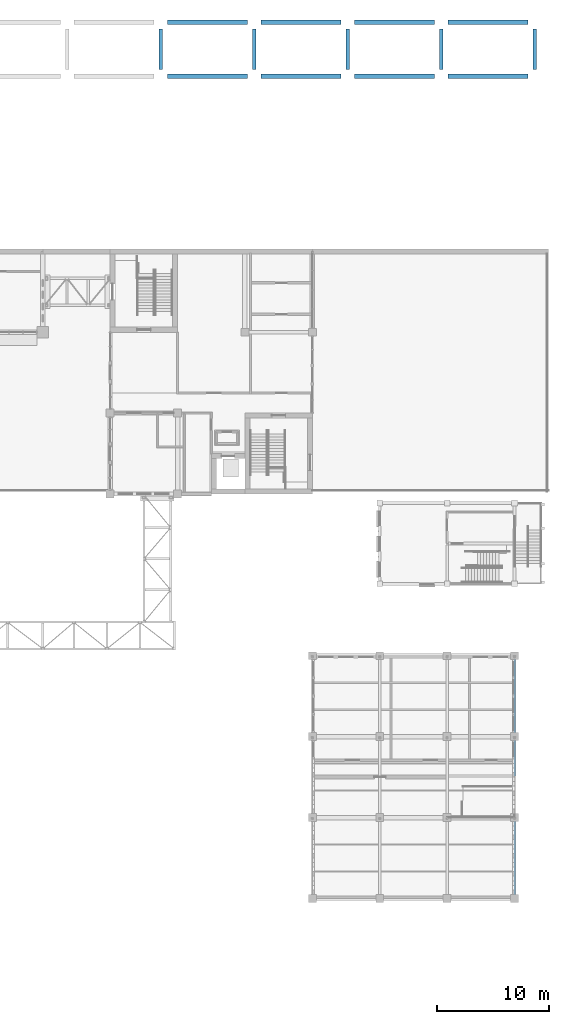
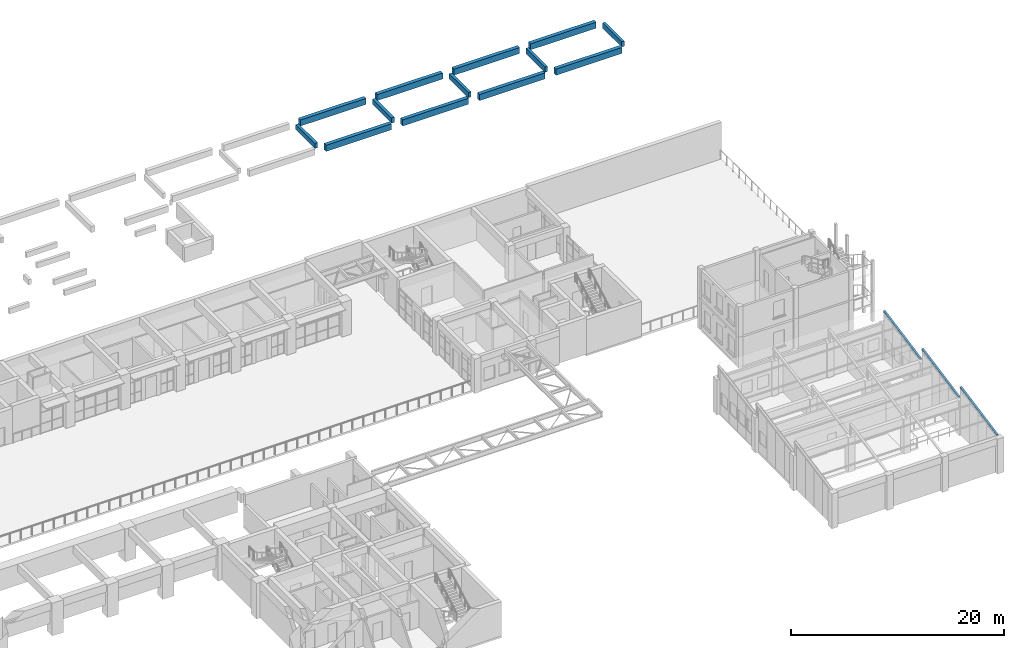
# One storey, part 40 of 103: 13 beams, 3 members.
"""IFC4 building model written with IfcOpenShell, lengths in metres."""

from ifc_helpers import new_model, si_unit, direction, frame, origin, origin_2d, place, context, subcontext, project, spatial, rectangle, hollow_rectangle, extrude, material, material_profile, profile_set, type_object, element, save


model = new_model("IFC4")

# Units and contexts
model_context = context("Model", 3, precision=1e-05, world=origin(), true_north=direction((0.0, 1.0)))
body_context = subcontext(model_context, "Body", "Model", "MODEL_VIEW")
ifc_project = project(units=[si_unit("LENGTHUNIT", "METRE"), si_unit("AREAUNIT", "SQUARE_METRE"), si_unit("VOLUMEUNIT", "CUBIC_METRE"), si_unit("PLANEANGLEUNIT", "RADIAN"), si_unit("MASSUNIT", "GRAM", prefix="KILO")], contexts=[model_context])

# Site, building, storey
site_placement = place(None, origin())
site = spatial("IfcSite", under=ifc_project, at=site_placement, CompositionType="ELEMENT")
building_placement = place(site_placement, origin())
building = spatial("IfcBuilding", under=site, at=building_placement, Name="Laocheng Heights Fire and Rescue Headquarters", CompositionType="ELEMENT")
storey_placement = place(building_placement, frame((0.0, 0.0, 4.199951171875)))
storey = spatial("IfcBuildingStorey", under=building, at=storey_placement, Name="L01", CompositionType="ELEMENT", Elevation=4.199951171875)

# Beams
ifc_material_1 = material(Name="Concrete C40", Category="concrete")
ifc_material_profile_1 = material_profile(ifc_material_1, rectangle(XDim=0.300048828125, YDim=0.60009765625, at=origin_2d()), Name="RC GROUND BEAM 300x600")
ifc_profile_set_1 = profile_set([ifc_material_profile_1], Name="Concrete C40")
beam_type_1 = type_object("IfcBeamType", Name="RC GROUND BEAM 300x600", PredefinedType="BEAM", material=ifc_profile_set_1)
for number, where, z_axis, x_axis, name in (
    (1, (94.490966796875, 73.800048828125, 3.650146484375), (0.0, 1.0, 0.0), (-1.0, 0.0, 0.0), "Ground beam GB196"),
    (2, (102.818115234375, 73.800048828125, 3.650146484375), (0.0, 1.0, 0.0), (-1.0, 0.0, 0.0), "Ground beam GB197"),
    (3, (111.1455078125, 73.800048828125, 3.650146484375), (0.0, 1.0, 0.0), (-1.0, 0.0, 0.0), "Ground beam GB198"),
    (4, (119.47265625, 73.800048828125, 3.650146484375), (0.0, 1.0, 0.0), (-1.0, 0.0, 0.0), "Ground beam GB199"),
    (5, (127.800048828125, 73.800048828125, 3.650146484375), (0.0, 1.0, 0.0), (-1.0, 0.0, 0.0), "Ground beam GB200"),
):
    element("IfcBeam", number, at=place(storey_placement, frame(where, z_axis=z_axis, x_axis=x_axis)), inside=storey, type_object=beam_type_1, Name=name, PredefinedType="BEAM", context=body_context, shape_type="SweptSolid", body=[
        extrude(rectangle(XDim=0.300048828125, YDim=0.60009765625, at=origin_2d()), origin(), (0.0, 0.0, 1.0), 3.599853515625),
    ])
ifc_material_2 = material(Name="Concrete C40", Category="concrete")
ifc_material_profile_2 = material_profile(ifc_material_2, rectangle(XDim=0.39990234375, YDim=0.699951171875, at=origin_2d()), Name="RC GROUND BEAM 400x700")
ifc_profile_set_2 = profile_set([ifc_material_profile_2], Name="Concrete C40")
beam_type_2 = type_object("IfcBeamType", Name="RC GROUND BEAM 400x700", PredefinedType="BEAM", material=ifc_profile_set_2)
beam_1_placement = place(storey_placement, frame((95.0908203125, 73.199951171875, 3.60009765625), z_axis=(1.0, 0.0, 0.0), x_axis=(0.0, 1.0, 0.0)))
element("IfcBeam", 6, at=beam_1_placement, inside=storey, type_object=beam_type_2, Name="Ground beam GB189", PredefinedType="BEAM", context=body_context, shape_type="SweptSolid", body=[
    extrude(rectangle(XDim=0.39990234375, YDim=0.699951171875, at=origin_2d()), origin(), (0.0, 0.0, 1.0), 7.12744140625),
])
for number, where, z_axis, x_axis, name in (
    (7, (103.418212890625, 73.199951171875, 3.60009765625), (1.0, 0.0, 0.0), (0.0, 1.0, 0.0), "Ground beam GB190"),
    (8, (111.74560546875, 73.199951171875, 3.60009765625), (1.0, 0.0, 0.0), (0.0, 1.0, 0.0), "Ground beam GB191"),
    (9, (120.07275390625, 73.199951171875, 3.60009765625), (1.0, 0.0, 0.0), (0.0, 1.0, 0.0), "Ground beam GB192"),
):
    element("IfcBeam", number, at=place(storey_placement, frame(where, z_axis=z_axis, x_axis=x_axis)), inside=storey, type_object=beam_type_2, Name=name, PredefinedType="BEAM", context=body_context, shape_type="SweptSolid", body=[
        extrude(rectangle(XDim=0.39990234375, YDim=0.699951171875, at=origin_2d()), origin(), (0.0, 0.0, 1.0), 7.127197265625),
    ])
beam_2_placement = place(storey_placement, frame((95.0908203125, 78.0, 3.60009765625), z_axis=(1.0, 0.0, 0.0), x_axis=(0.0, 1.0, 0.0)))
element("IfcBeam", 10, at=beam_2_placement, inside=storey, type_object=beam_type_2, Name="Ground beam GB217", PredefinedType="BEAM", context=body_context, shape_type="SweptSolid", body=[
    extrude(rectangle(XDim=0.39990234375, YDim=0.699951171875, at=origin_2d()), origin(), (0.0, 0.0, 1.0), 7.12744140625),
])
for number, where, z_axis, x_axis, name in (
    (11, (103.418212890625, 78.0, 3.60009765625), (1.0, 0.0, 0.0), (0.0, 1.0, 0.0), "Ground beam GB218"),
    (12, (111.74560546875, 78.0, 3.60009765625), (1.0, 0.0, 0.0), (0.0, 1.0, 0.0), "Ground beam GB219"),
    (13, (120.07275390625, 78.0, 3.60009765625), (1.0, 0.0, 0.0), (0.0, 1.0, 0.0), "Ground beam GB220"),
):
    element("IfcBeam", number, at=place(storey_placement, frame(where, z_axis=z_axis, x_axis=x_axis)), inside=storey, type_object=beam_type_2, Name=name, PredefinedType="BEAM", context=body_context, shape_type="SweptSolid", body=[
        extrude(rectangle(XDim=0.39990234375, YDim=0.699951171875, at=origin_2d()), origin(), (0.0, 0.0, 1.0), 7.127197265625),
    ])

# Members
ifc_material_3 = material(Name="Steel Q355B", Category="steel")
ifc_material_profile_3 = material_profile(ifc_material_3, hollow_rectangle(XDim=0.199951171875, YDim=0.199951171875, WallThickness=0.008056640625, at=origin_2d()), Name="SHS 200x200x8")
ifc_profile_set_3 = profile_set([ifc_material_profile_3], Name="Steel Q355B")
member_type = type_object("IfcMemberType", Name="STEEL RAFTER SHS 200x200x8 SAWTOOTH", PredefinedType="RAFTER", material=ifc_profile_set_3)
member_placement = place(storey_placement, frame((126.0, 0.25732421875, 3.9443359375), z_axis=(0.0, 0.981611412643, 0.190890111241), x_axis=(-1.0, 0.0, 0.0)))
element("IfcMember", 14, at=member_placement, inside=storey, type_object=member_type, Name="Sawtooth rafter", PredefinedType="RAFTER", context=body_context, shape_type="SweptSolid", body=[
    extrude(hollow_rectangle(XDim=0.199951171875, YDim=0.199951171875, WallThickness=0.008056640625, at=origin_2d()), origin(), (0.0, 0.0, 1.0), 7.029052734375),
])
for number, where, z_axis, x_axis, name in (
    (15, (126.0, 7.457275390625, 3.9443359375), (0.0, 0.981612678199, 0.190883603276), (-1.0, 0.0, 0.0), "Sawtooth rafter"),
    (16, (126.0, 14.6572265625, 3.9443359375), (0.0, 0.981612678199, 0.190883603276), (-1.0, 0.0, 0.0), "Sawtooth rafter"),
):
    element("IfcMember", number, at=place(storey_placement, frame(where, z_axis=z_axis, x_axis=x_axis)), inside=storey, type_object=member_type, Name=name, PredefinedType="RAFTER", context=body_context, shape_type="SweptSolid", body=[
        extrude(hollow_rectangle(XDim=0.199951171875, YDim=0.199951171875, WallThickness=0.008056640625, at=origin_2d()), origin(), (0.0, 0.0, 1.0), 7.029296875),
    ])

save(model, "model.ifc")
